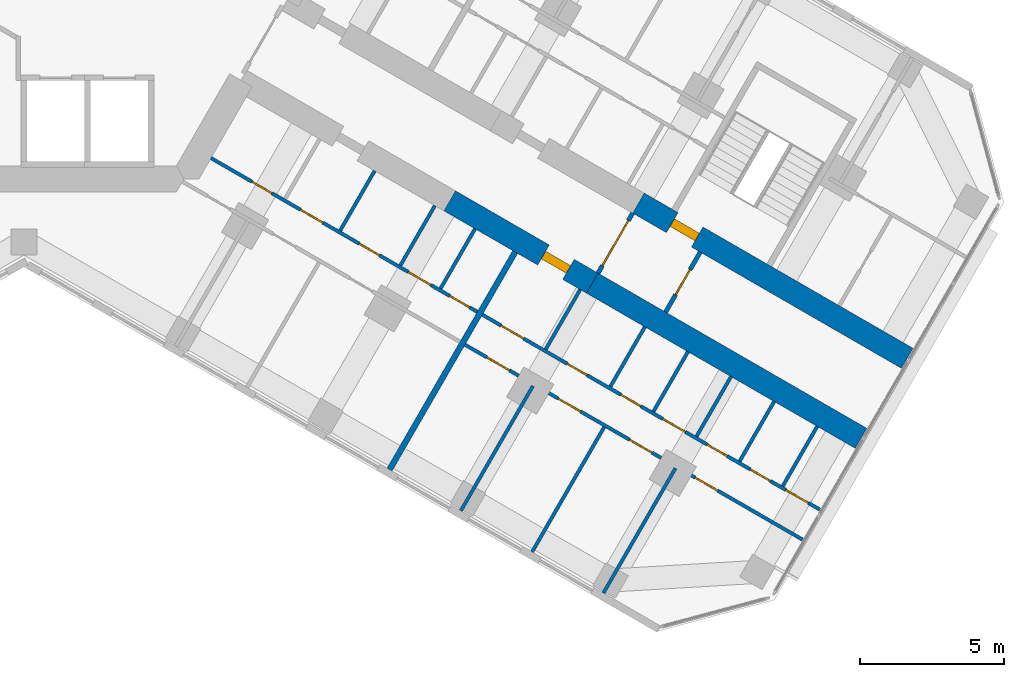
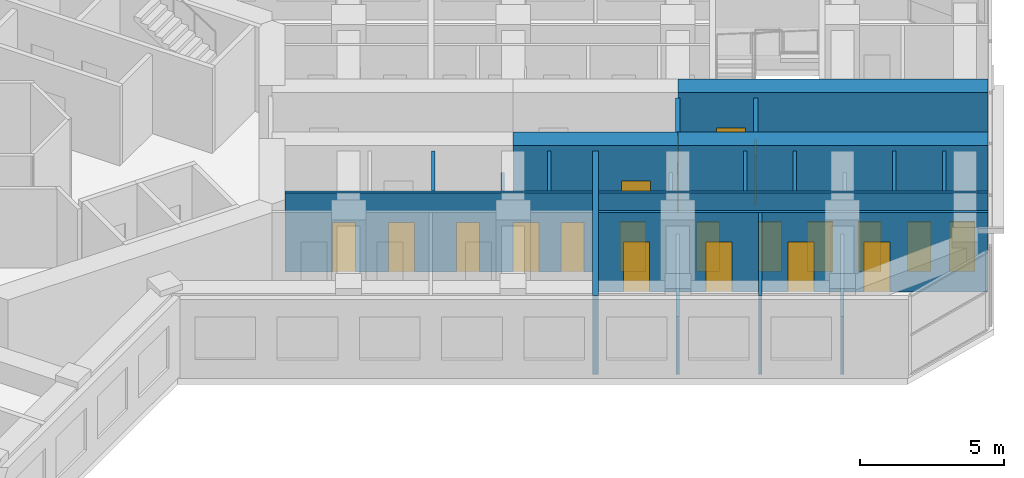
# One storey, part 14 of 20: 21 walls, 20 doors, 20 openings.
"""IFC4 building model written with IfcOpenShell, lengths in metres."""

from ifc_helpers import new_model, si_unit, direction, frame, frame_2d, origin, place, context, subcontext, project, spatial, rectangle, extrude, material, layer, layer_set, type_object, element, fill, save


model = new_model("IFC4")

# Units and contexts
model_context = context("Model", 3, precision=1e-05, world=origin(), true_north=direction((0.0, 1.0)))
body_context = subcontext(model_context, "Body", "Model", "MODEL_VIEW")
ifc_project = project(units=[si_unit("LENGTHUNIT", "METRE"), si_unit("AREAUNIT", "SQUARE_METRE"), si_unit("VOLUMEUNIT", "CUBIC_METRE"), si_unit("PLANEANGLEUNIT", "RADIAN"), si_unit("MASSUNIT", "GRAM", prefix="KILO")], contexts=[model_context])

# Site, building, storey
site_placement = place(None, origin())
site = spatial("IfcSite", under=ifc_project, at=site_placement, CompositionType="ELEMENT")
building_placement = place(site_placement, origin())
building = spatial("IfcBuilding", under=site, at=building_placement, Name="Kosmar Iwan School Tower", CompositionType="ELEMENT")
storey_placement = place(building_placement, frame((0.0, 0.0, 179.60009765625)))
storey = spatial("IfcBuildingStorey", under=building, at=storey_placement, Name="L45", CompositionType="ELEMENT", Elevation=179.60009765625)

# Wall, opening, door
ifc_material_1 = material(Name="Concrete C50/60", Category="concrete")
ifc_layer_1 = layer(ifc_material_1, 0.800048828125)
ifc_layer_set_1 = layer_set([ifc_layer_1], Name="Corridor buttress wall 800")
wall_type_1 = type_object("IfcWallType", Name="Corridor buttress wall 800", PredefinedType="SHEAR", material=ifc_layer_set_1)
wall_1_placement = place(storey_placement, frame((21.281494140625, -10.439453125, 0.0), z_axis=(0.0, 0.0, 1.0), x_axis=(0.866032345022, -0.499987977232, 0.0)))
wall_1 = element("IfcWall", 1, at=wall_1_placement, inside=storey, type_object=wall_type_1, Name="Corridor wall CL bay 3", PredefinedType="SHEAR", context=body_context, shape_type="SweptSolid", body=[
    extrude(rectangle(XDim=10.744873046875, YDim=0.800048828125, at=frame_2d((5.37255859375, 0.0))), origin(), (0.0, 0.0, 1.0), 3.599853515625),
])
opening_1_placement = place(wall_1_placement, frame((1.35009765625, 0.0, 0.0)))
opening_1 = element("IfcOpeningElement", 2, at=opening_1_placement, cuts=wall_1, Name="Opening D6", PredefinedType="OPENING", context=body_context, shape_type="SweptSolid", body=[
    extrude(rectangle(XDim=1.0, YDim=2.10009765625, at=frame_2d((0.5, 1.050048828125))), frame((0.0, 0.412109375, 0.0), z_axis=(0.0, -1.0, 0.0), x_axis=(1.0, 0.0, 0.0)), (0.0, 0.0, 1.0), 0.823974609375),
])
ifc_material_2 = material(Name="Steel fire door", Category="steel")
door_type_1 = type_object("IfcDoorType", Name="Stair door 1000x2100", OperationType="SINGLE_SWING_LEFT", PredefinedType="DOOR", material=ifc_material_2)
door_1_placement = place(opening_1_placement, origin())
door_1 = element("IfcDoor", 3, at=door_1_placement, inside=storey, type_object=door_type_1, Name="Stair WS3 door L45", OperationType="SINGLE_SWING_LEFT", OverallHeight=2.10009765625, OverallWidth=1.0, PredefinedType="DOOR", context=body_context, shape_type="SweptSolid", body=[
    extrude(rectangle(XDim=1.0, YDim=2.10009765625, at=frame_2d((0.5, 1.050048828125))), frame((0.0, 0.14990234375, 0.0), z_axis=(0.0, -1.0, 0.0), x_axis=(1.0, 0.0, 0.0)), (0.0, 0.0, 1.0), 0.300048828125),
])
fill(opening_1, door_1)

wall_2_placement = place(storey_placement, frame((14.7451171875, -10.360595703125, 0.0), z_axis=(0.0, 0.0, 1.0), x_axis=(0.866015111908, -0.50001782563, 0.0)))
wall_2 = element("IfcWall", 4, at=wall_2_placement, inside=storey, type_object=wall_type_1, Name="Corridor wall CR bay 2", PredefinedType="SHEAR", context=body_context, shape_type="SweptSolid", body=[
    extrude(rectangle(XDim=5.699951171875, YDim=0.800048828125, at=frame_2d((2.85009765625, 0.0))), origin(), (0.0, 0.0, 1.0), 3.599853515625),
])
opening_2_placement = place(wall_2_placement, frame((3.75, 0.0, 0.0)))
opening_2 = element("IfcOpeningElement", 5, at=opening_2_placement, cuts=wall_2, Name="Opening D1", PredefinedType="OPENING", context=body_context, shape_type="SweptSolid", body=[
    extrude(rectangle(XDim=1.0, YDim=2.10009765625, at=frame_2d((0.5, 1.050048828125))), frame((0.0, 0.412109375, 0.0), z_axis=(0.0, -1.0, 0.0), x_axis=(1.0, 0.0, 0.0)), (0.0, 0.0, 1.0), 0.823974609375),
])
ifc_material_3 = material(Name="Timber fire door in steel frame", Category="steel")
door_type_2 = type_object("IfcDoorType", Name="Flat entrance door 1000x2100", OperationType="SINGLE_SWING_LEFT", PredefinedType="DOOR", material=ifc_material_3)
door_2_placement = place(opening_2_placement, origin())
door_2 = element("IfcDoor", 6, at=door_2_placement, inside=storey, type_object=door_type_2, Name="Flat L45-CR2 entrance door", OperationType="SINGLE_SWING_RIGHT", OverallHeight=2.10009765625, OverallWidth=1.0, PredefinedType="DOOR", context=body_context, shape_type="SweptSolid", body=[
    extrude(rectangle(XDim=1.0, YDim=2.10009765625, at=frame_2d((0.5, 1.050048828125))), frame((0.0, 0.14990234375, 0.0), z_axis=(0.0, -1.0, 0.0), x_axis=(1.0, 0.0, 0.0)), (0.0, 0.0, 1.0), 0.300048828125),
])
fill(opening_2, door_2)

# Wall
wall_3_placement = place(storey_placement, frame((19.681396484375, -13.210693359375, 0.0), z_axis=(0.0, 0.0, 1.0), x_axis=(0.866028186671, -0.499995179869, 0.0)))
element("IfcWall", 7, at=wall_3_placement, inside=storey, type_object=wall_type_1, Name="Corridor wall CR bay 3", PredefinedType="SHEAR", context=body_context, shape_type="SweptSolid", body=[
    extrude(rectangle(XDim=10.7451171875, YDim=0.800048828125, at=frame_2d((5.37255859375, 0.0))), origin(), (0.0, 0.0, 1.0), 3.599853515625),
])

# Wall, opening, door
ifc_material_4 = material(Name="Gypsum board on steel studs, fire-rated", Category="steel")
ifc_layer_2 = layer(ifc_material_4, 0.14990234375)
ifc_layer_set_2 = layer_set([ifc_layer_2], Name="Corridor end wall 150")
wall_type_2 = type_object("IfcWallType", Name="Corridor end wall 150", PredefinedType="PARTITIONING", material=ifc_layer_set_2)
wall_4_placement = place(storey_placement, frame((22.2197265625, -14.21435546875, 0.0), z_axis=(0.0, 0.0, 1.0), x_axis=(0.499957262057, 0.866050077142, 0.0)))
wall_4 = element("IfcWall", 8, at=wall_4_placement, inside=storey, type_object=wall_type_2, Name="Partition L45-C-CE", PredefinedType="PARTITIONING", context=body_context, shape_type="SweptSolid", body=[
    extrude(rectangle(XDim=2.400146484375, YDim=0.14990234375, at=frame_2d((1.2001953125, 0.0))), origin(), (0.0, 0.0, 1.0), 3.349853515625),
])
opening_3_placement = place(wall_4_placement, frame((0.699951171875, 0.0, 0.0)))
opening_3 = element("IfcOpeningElement", 9, at=opening_3_placement, cuts=wall_4, Name="Opening D13", PredefinedType="OPENING", context=body_context, shape_type="SweptSolid", body=[
    extrude(rectangle(XDim=1.0, YDim=2.10009765625, at=frame_2d((0.5, 1.050048828125))), frame((0.0, 0.0869140625, 0.0), z_axis=(0.0, -1.0, 0.0), x_axis=(1.0, 0.0, 0.0)), (0.0, 0.0, 1.0), 0.173828125),
])
ifc_material_5 = material(Name="Timber fire door with vision panel", Category="wood")
door_type_3 = type_object("IfcDoorType", Name="Corridor end door 1000x2100", OperationType="SINGLE_SWING_LEFT", PredefinedType="DOOR", material=ifc_material_5)
door_3_placement = place(opening_3_placement, origin())
door_3 = element("IfcDoor", 10, at=door_3_placement, inside=storey, type_object=door_type_3, Name="Family study room door L45-C", OperationType="SINGLE_SWING_LEFT", OverallHeight=2.10009765625, OverallWidth=1.0, PredefinedType="DOOR", context=body_context, shape_type="SweptSolid", body=[
    extrude(rectangle(XDim=1.0, YDim=2.10009765625, at=frame_2d((0.5, 1.050048828125))), frame((0.0, 0.02490234375, 0.0), z_axis=(0.0, -1.0, 0.0), x_axis=(1.0, 0.0, 0.0)), (0.0, 0.0, 1.0), 0.050048828125),
])
fill(opening_3, door_3)

wall_5_placement = place(storey_placement, frame((19.881591796875, -12.8642578125, 0.0), z_axis=(0.0, 0.0, 1.0), x_axis=(0.499957262057, 0.866050077142, 0.0)))
wall_5 = element("IfcWall", 11, at=wall_5_placement, inside=storey, type_object=wall_type_2, Name="Partition L45-C-HW", PredefinedType="PARTITIONING", context=body_context, shape_type="SweptSolid", body=[
    extrude(rectangle(XDim=2.400146484375, YDim=0.14990234375, at=frame_2d((1.2001953125, 0.0))), origin(), (0.0, 0.0, 1.0), 3.349853515625),
])
opening_4_placement = place(wall_5_placement, frame((0.300048828125, 0.0, 0.0)))
opening_4 = element("IfcOpeningElement", 12, at=opening_4_placement, cuts=wall_5, Name="Opening D9", PredefinedType="OPENING", context=body_context, shape_type="SweptSolid", body=[
    extrude(rectangle(XDim=1.800048828125, YDim=2.10009765625, at=frame_2d((0.89990234375, 1.050048828125))), frame((0.0, 0.0869140625, 0.0), z_axis=(0.0, -1.0, 0.0), x_axis=(1.0, 0.0, 0.0)), (0.0, 0.0, 1.0), 0.173828125),
])
ifc_material_6 = material(Name="Steel framed glazed smoke door", Category="steel")
door_type_4 = type_object("IfcDoorType", Name="Corridor smoke door pair 1800x2100", OperationType="DOUBLE_DOOR_DOUBLE_SWING", PredefinedType="DOOR", material=ifc_material_6)
door_4_placement = place(opening_4_placement, origin())
door_4 = element("IfcDoor", 13, at=door_4_placement, inside=storey, type_object=door_type_4, Name="Hashti vestibule smoke doors L45-C", OperationType="DOUBLE_DOOR_DOUBLE_SWING", OverallHeight=2.10009765625, OverallWidth=1.800048828125, PredefinedType="DOOR", context=body_context, shape_type="SweptSolid", body=[
    extrude(rectangle(XDim=1.800048828125, YDim=2.10009765625, at=frame_2d((0.89990234375, 1.050048828125))), frame((0.0, 0.02490234375, 0.0), z_axis=(0.0, -1.0, 0.0), x_axis=(1.0, 0.0, 0.0)), (0.0, 0.0, 1.0), 0.050048828125),
])
fill(opening_4, door_4)

# Wall, openings, doors
ifc_material_7 = material(Name="Gypsum board on steel studs", Category="steel")
ifc_layer_3 = layer(ifc_material_7, 0.1201171875)
ifc_layer_set_3 = layer_set([ifc_layer_3], Name="Dwelling partition 120")
wall_type_3 = type_object("IfcWallType", Name="Dwelling partition 120", PredefinedType="PARTITIONING", material=ifc_layer_set_3)
wall_6_placement = place(storey_placement, frame((6.478515625, -8.87890625, 0.0), z_axis=(0.0, 0.0, 1.0), x_axis=(0.866026778288, -0.499997619282, 0.0)))
wall_6 = element("IfcWall", 14, at=wall_6_placement, inside=storey, type_object=wall_type_3, Name="Partition L45-CR1-W1", PredefinedType="PARTITIONING", context=body_context, shape_type="SweptSolid", body=[
    extrude(rectangle(XDim=10.64990234375, YDim=0.1201171875, at=frame_2d((5.324951171875, 0.0))), origin(), (0.0, 0.0, 1.0), 3.349853515625),
])
opening_5_placement = place(wall_6_placement, frame((1.639892578125, 0.0, 0.0)))
opening_5 = element("IfcOpeningElement", 15, at=opening_5_placement, cuts=wall_6, Name="Opening D3", PredefinedType="OPENING", context=body_context, shape_type="SweptSolid", body=[
    extrude(rectangle(XDim=0.800048828125, YDim=2.10009765625, at=frame_2d((0.39990234375, 1.050048828125))), frame((0.0, 0.072021484375, 0.0), z_axis=(0.0, -1.0, 0.0), x_axis=(1.0, 0.0, 0.0)), (0.0, 0.0, 1.0), 0.14404296875),
])
opening_6_placement = place(wall_6_placement, frame((3.580078125, 0.0, 0.0)))
opening_6 = element("IfcOpeningElement", 16, at=opening_6_placement, cuts=wall_6, Name="Opening D2", PredefinedType="OPENING", context=body_context, shape_type="SweptSolid", body=[
    extrude(rectangle(XDim=0.89990234375, YDim=2.10009765625, at=frame_2d((0.449951171875, 1.050048828125))), frame((0.0, 0.072021484375, 0.0), z_axis=(0.0, -1.0, 0.0), x_axis=(1.0, 0.0, 0.0)), (0.0, 0.0, 1.0), 0.14404296875),
])
opening_7_placement = place(wall_6_placement, frame((5.934326171875, 0.0, 0.0)))
opening_7 = element("IfcOpeningElement", 17, at=opening_7_placement, cuts=wall_6, Name="Opening D3", PredefinedType="OPENING", context=body_context, shape_type="SweptSolid", body=[
    extrude(rectangle(XDim=0.800048828125, YDim=2.10009765625, at=frame_2d((0.39990234375, 1.050048828125))), frame((0.0, 0.072021484375, 0.0), z_axis=(0.0, -1.0, 0.0), x_axis=(1.0, 0.0, 0.0)), (0.0, 0.0, 1.0), 0.14404296875),
])
opening_8_placement = place(wall_6_placement, frame((7.891357421875, 0.0, 0.0)))
opening_8 = element("IfcOpeningElement", 18, at=opening_8_placement, cuts=wall_6, Name="Opening D2", PredefinedType="OPENING", context=body_context, shape_type="SweptSolid", body=[
    extrude(rectangle(XDim=0.89990234375, YDim=2.10009765625, at=frame_2d((0.449951171875, 1.050048828125))), frame((0.0, 0.072021484375, 0.0), z_axis=(0.0, -1.0, 0.0), x_axis=(1.0, 0.0, 0.0)), (0.0, 0.0, 1.0), 0.14404296875),
])
opening_9_placement = place(wall_6_placement, frame((9.547119140625, 0.0, 0.0)))
opening_9 = element("IfcOpeningElement", 19, at=opening_9_placement, cuts=wall_6, Name="Opening D3", PredefinedType="OPENING", context=body_context, shape_type="SweptSolid", body=[
    extrude(rectangle(XDim=0.800048828125, YDim=2.10009765625, at=frame_2d((0.39990234375, 1.050048828125))), frame((0.0, 0.072021484375, 0.0), z_axis=(0.0, -1.0, 0.0), x_axis=(1.0, 0.0, 0.0)), (0.0, 0.0, 1.0), 0.14404296875),
])
ifc_material_8 = material(Name="Timber door in timber frame", Category="wood")
door_type_5 = type_object("IfcDoorType", Name="Internal door 900x2100", OperationType="SINGLE_SWING_LEFT", PredefinedType="DOOR", material=ifc_material_8)
door_5_placement = place(opening_6_placement, origin())
door_5 = element("IfcDoor", 20, at=door_5_placement, inside=storey, type_object=door_type_5, Name="Entrance hall door L45-CR1-S2", OperationType="SINGLE_SWING_LEFT", OverallHeight=2.10009765625, OverallWidth=0.89990234375, PredefinedType="DOOR", context=body_context, shape_type="SweptSolid", body=[
    extrude(rectangle(XDim=0.89990234375, YDim=2.10009765625, at=frame_2d((0.449951171875, 1.050048828125))), frame((0.0, 0.02490234375, 0.0), z_axis=(0.0, -1.0, 0.0), x_axis=(1.0, 0.0, 0.0)), (0.0, 0.0, 1.0), 0.050048828125),
])
fill(opening_6, door_5)
door_6_placement = place(opening_8_placement, origin())
door_6 = element("IfcDoor", 21, at=door_6_placement, inside=storey, type_object=door_type_5, Name="Pantry door L45-CR1-S4", OperationType="SINGLE_SWING_LEFT", OverallHeight=2.10009765625, OverallWidth=0.89990234375, PredefinedType="DOOR", context=body_context, shape_type="SweptSolid", body=[
    extrude(rectangle(XDim=0.89990234375, YDim=2.10009765625, at=frame_2d((0.449951171875, 1.050048828125))), frame((0.0, 0.02490234375, 0.0), z_axis=(0.0, -1.0, 0.0), x_axis=(1.0, 0.0, 0.0)), (0.0, 0.0, 1.0), 0.050048828125),
])
fill(opening_8, door_6)
ifc_material_9 = material(Name="Timber door in timber frame", Category="wood")
door_type_6 = type_object("IfcDoorType", Name="Sanitary room door 800x2100", OperationType="SINGLE_SWING_LEFT", PredefinedType="DOOR", material=ifc_material_9)
door_7_placement = place(opening_5_placement, origin())
door_7 = element("IfcDoor", 22, at=door_7_placement, inside=storey, type_object=door_type_6, Name="WC door L45-CR1-S1", OperationType="SINGLE_SWING_RIGHT", OverallHeight=2.10009765625, OverallWidth=0.800048828125, PredefinedType="DOOR", context=body_context, shape_type="SweptSolid", body=[
    extrude(rectangle(XDim=0.800048828125, YDim=2.10009765625, at=frame_2d((0.39990234375, 1.050048828125))), frame((0.0, 0.02490234375, 0.0), z_axis=(0.0, -1.0, 0.0), x_axis=(1.0, 0.0, 0.0)), (0.0, 0.0, 1.0), 0.050048828125),
])
fill(opening_5, door_7)
door_8_placement = place(opening_7_placement, origin())
door_8 = element("IfcDoor", 23, at=door_8_placement, inside=storey, type_object=door_type_6, Name="Bathroom door L45-CR1-S3", OperationType="SINGLE_SWING_RIGHT", OverallHeight=2.10009765625, OverallWidth=0.800048828125, PredefinedType="DOOR", context=body_context, shape_type="SweptSolid", body=[
    extrude(rectangle(XDim=0.800048828125, YDim=2.10009765625, at=frame_2d((0.39990234375, 1.050048828125))), frame((0.0, 0.02490234375, 0.0), z_axis=(0.0, -1.0, 0.0), x_axis=(1.0, 0.0, 0.0)), (0.0, 0.0, 1.0), 0.050048828125),
])
fill(opening_7, door_8)
door_9_placement = place(opening_9_placement, origin())
door_9 = element("IfcDoor", 24, at=door_9_placement, inside=storey, type_object=door_type_6, Name="Store door L45-CR1-S5", OperationType="SINGLE_SWING_RIGHT", OverallHeight=2.10009765625, OverallWidth=0.800048828125, PredefinedType="DOOR", context=body_context, shape_type="SweptSolid", body=[
    extrude(rectangle(XDim=0.800048828125, YDim=2.10009765625, at=frame_2d((0.39990234375, 1.050048828125))), frame((0.0, 0.02490234375, 0.0), z_axis=(0.0, -1.0, 0.0), x_axis=(1.0, 0.0, 0.0)), (0.0, 0.0, 1.0), 0.050048828125),
])
fill(opening_9, door_9)

# Walls
wall_7_placement = place(storey_placement, frame((12.146240234375, -9.322021484375, 0.0), z_axis=(0.0, 0.0, 1.0), x_axis=(-0.500017192868, -0.86601547725, 0.0)))
element("IfcWall", 25, at=wall_7_placement, inside=storey, type_object=wall_type_3, Name="Partition L45-CR1-Y2", PredefinedType="PARTITIONING", context=body_context, shape_type="SweptSolid", body=[
    extrude(rectangle(XDim=2.39013671875, YDim=0.1201171875, at=frame_2d((1.195068359375, 0.0))), origin(), (0.0, 0.0, 1.0), 3.349853515625),
])
wall_8_placement = place(storey_placement, frame((14.232177734375, -10.5263671875, 0.0), z_axis=(0.0, 0.0, 1.0), x_axis=(-0.500017192868, -0.86601547725, 0.0)))
element("IfcWall", 26, at=wall_8_placement, inside=storey, type_object=wall_type_3, Name="Partition L45-CR1-Y3", PredefinedType="PARTITIONING", context=body_context, shape_type="SweptSolid", body=[
    extrude(rectangle(XDim=2.39013671875, YDim=0.1201171875, at=frame_2d((1.195068359375, 0.0))), origin(), (0.0, 0.0, 1.0), 2.449951171875),
])
wall_9_placement = place(storey_placement, frame((15.622802734375, -11.3291015625, 0.0), z_axis=(0.0, 0.0, 1.0), x_axis=(-0.500017192868, -0.86601547725, 0.0)))
element("IfcWall", 27, at=wall_9_placement, inside=storey, type_object=wall_type_3, Name="Partition L45-CR1-Y4", PredefinedType="PARTITIONING", context=body_context, shape_type="SweptSolid", body=[
    extrude(rectangle(XDim=2.39013671875, YDim=0.1201171875, at=frame_2d((1.195068359375, 0.0))), origin(), (0.0, 0.0, 1.0), 3.349853515625),
])

# Wall, openings, doors
wall_10_placement = place(storey_placement, frame((15.875, -14.3037109375, 0.0), z_axis=(0.0, 0.0, 1.0), x_axis=(0.866023503214, -0.50000329187, 0.0)))
wall_10 = element("IfcWall", 28, at=wall_10_placement, inside=storey, type_object=wall_type_3, Name="Partition L45-CR2-W1", PredefinedType="PARTITIONING", context=body_context, shape_type="SweptSolid", body=[
    extrude(rectangle(XDim=13.4951171875, YDim=0.1201171875, at=frame_2d((6.74755859375, 0.0))), origin(), (0.0, 0.0, 1.0), 3.349853515625),
])
opening_10_placement = place(wall_10_placement, frame((0.75, 0.0, 0.0)))
opening_10 = element("IfcOpeningElement", 29, at=opening_10_placement, cuts=wall_10, Name="Opening D2", PredefinedType="OPENING", context=body_context, shape_type="SweptSolid", body=[
    extrude(rectangle(XDim=0.89990234375, YDim=2.10009765625, at=frame_2d((0.449951171875, 1.050048828125))), frame((0.0, 0.072021484375, 0.0), z_axis=(0.0, -1.0, 0.0), x_axis=(1.0, 0.0, 0.0)), (0.0, 0.0, 1.0), 0.14404296875),
])
opening_11_placement = place(wall_10_placement, frame((3.392333984375, 0.0, 0.0)))
opening_11 = element("IfcOpeningElement", 30, at=opening_11_placement, cuts=wall_10, Name="Opening D3", PredefinedType="OPENING", context=body_context, shape_type="SweptSolid", body=[
    extrude(rectangle(XDim=0.800048828125, YDim=2.10009765625, at=frame_2d((0.39990234375, 1.050048828125))), frame((0.0, 0.072021484375, 0.0), z_axis=(0.0, -1.0, 0.0), x_axis=(1.0, 0.0, 0.0)), (0.0, 0.0, 1.0), 0.14404296875),
])
opening_12_placement = place(wall_10_placement, frame((5.546142578125, 0.0, 0.0)))
opening_12 = element("IfcOpeningElement", 31, at=opening_12_placement, cuts=wall_10, Name="Opening D3", PredefinedType="OPENING", context=body_context, shape_type="SweptSolid", body=[
    extrude(rectangle(XDim=0.800048828125, YDim=2.10009765625, at=frame_2d((0.39990234375, 1.050048828125))), frame((0.0, 0.072021484375, 0.0), z_axis=(0.0, -1.0, 0.0), x_axis=(1.0, 0.0, 0.0)), (0.0, 0.0, 1.0), 0.14404296875),
])
opening_13_placement = place(wall_10_placement, frame((7.21923828125, 0.0, 0.0)))
opening_13 = element("IfcOpeningElement", 32, at=opening_13_placement, cuts=wall_10, Name="Opening D2", PredefinedType="OPENING", context=body_context, shape_type="SweptSolid", body=[
    extrude(rectangle(XDim=0.89990234375, YDim=2.10009765625, at=frame_2d((0.449951171875, 1.050048828125))), frame((0.0, 0.072021484375, 0.0), z_axis=(0.0, -1.0, 0.0), x_axis=(1.0, 0.0, 0.0)), (0.0, 0.0, 1.0), 0.14404296875),
])
opening_14_placement = place(wall_10_placement, frame((8.992431640625, 0.0, 0.0)))
opening_14 = element("IfcOpeningElement", 33, at=opening_14_placement, cuts=wall_10, Name="Opening D3", PredefinedType="OPENING", context=body_context, shape_type="SweptSolid", body=[
    extrude(rectangle(XDim=0.800048828125, YDim=2.10009765625, at=frame_2d((0.39990234375, 1.050048828125))), frame((0.0, 0.072021484375, 0.0), z_axis=(0.0, -1.0, 0.0), x_axis=(1.0, 0.0, 0.0)), (0.0, 0.0, 1.0), 0.14404296875),
])
opening_15_placement = place(wall_10_placement, frame((10.71533203125, 0.0, 0.0)))
opening_15 = element("IfcOpeningElement", 34, at=opening_15_placement, cuts=wall_10, Name="Opening D3", PredefinedType="OPENING", context=body_context, shape_type="SweptSolid", body=[
    extrude(rectangle(XDim=0.800048828125, YDim=2.10009765625, at=frame_2d((0.39990234375, 1.050048828125))), frame((0.0, 0.072021484375, 0.0), z_axis=(0.0, -1.0, 0.0), x_axis=(1.0, 0.0, 0.0)), (0.0, 0.0, 1.0), 0.14404296875),
])
opening_16_placement = place(wall_10_placement, frame((12.136962890625, 0.0, 0.0)))
opening_16 = element("IfcOpeningElement", 35, at=opening_16_placement, cuts=wall_10, Name="Opening D2", PredefinedType="OPENING", context=body_context, shape_type="SweptSolid", body=[
    extrude(rectangle(XDim=0.89990234375, YDim=2.10009765625, at=frame_2d((0.449951171875, 1.050048828125))), frame((0.0, 0.072021484375, 0.0), z_axis=(0.0, -1.0, 0.0), x_axis=(1.0, 0.0, 0.0)), (0.0, 0.0, 1.0), 0.14404296875),
])
door_10_placement = place(opening_10_placement, origin())
door_10 = element("IfcDoor", 36, at=door_10_placement, inside=storey, type_object=door_type_5, Name="Entrance hall door L45-CR2-S1", OperationType="SINGLE_SWING_RIGHT", OverallHeight=2.10009765625, OverallWidth=0.89990234375, PredefinedType="DOOR", context=body_context, shape_type="SweptSolid", body=[
    extrude(rectangle(XDim=0.89990234375, YDim=2.10009765625, at=frame_2d((0.449951171875, 1.050048828125))), frame((0.0, 0.02490234375, 0.0), z_axis=(0.0, -1.0, 0.0), x_axis=(1.0, 0.0, 0.0)), (0.0, 0.0, 1.0), 0.050048828125),
])
fill(opening_10, door_10)
door_11_placement = place(opening_13_placement, origin())
door_11 = element("IfcDoor", 37, at=door_11_placement, inside=storey, type_object=door_type_5, Name="Pantry door L45-CR2-S4", OperationType="SINGLE_SWING_LEFT", OverallHeight=2.10009765625, OverallWidth=0.89990234375, PredefinedType="DOOR", context=body_context, shape_type="SweptSolid", body=[
    extrude(rectangle(XDim=0.89990234375, YDim=2.10009765625, at=frame_2d((0.449951171875, 1.050048828125))), frame((0.0, 0.02490234375, 0.0), z_axis=(0.0, -1.0, 0.0), x_axis=(1.0, 0.0, 0.0)), (0.0, 0.0, 1.0), 0.050048828125),
])
fill(opening_13, door_11)
door_12_placement = place(opening_16_placement, origin())
door_12 = element("IfcDoor", 38, at=door_12_placement, inside=storey, type_object=door_type_5, Name="Utility room door L45-CR2-S7", OperationType="SINGLE_SWING_LEFT", OverallHeight=2.10009765625, OverallWidth=0.89990234375, PredefinedType="DOOR", context=body_context, shape_type="SweptSolid", body=[
    extrude(rectangle(XDim=0.89990234375, YDim=2.10009765625, at=frame_2d((0.449951171875, 1.050048828125))), frame((0.0, 0.02490234375, 0.0), z_axis=(0.0, -1.0, 0.0), x_axis=(1.0, 0.0, 0.0)), (0.0, 0.0, 1.0), 0.050048828125),
])
fill(opening_16, door_12)
door_13_placement = place(opening_11_placement, origin())
door_13 = element("IfcDoor", 39, at=door_13_placement, inside=storey, type_object=door_type_6, Name="Bathroom door L45-CR2-S2", OperationType="SINGLE_SWING_LEFT", OverallHeight=2.10009765625, OverallWidth=0.800048828125, PredefinedType="DOOR", context=body_context, shape_type="SweptSolid", body=[
    extrude(rectangle(XDim=0.800048828125, YDim=2.10009765625, at=frame_2d((0.39990234375, 1.050048828125))), frame((0.0, 0.02490234375, 0.0), z_axis=(0.0, -1.0, 0.0), x_axis=(1.0, 0.0, 0.0)), (0.0, 0.0, 1.0), 0.050048828125),
])
fill(opening_11, door_13)
door_14_placement = place(opening_12_placement, origin())
door_14 = element("IfcDoor", 40, at=door_14_placement, inside=storey, type_object=door_type_6, Name="Shower room door L45-CR2-S3", OperationType="SINGLE_SWING_RIGHT", OverallHeight=2.10009765625, OverallWidth=0.800048828125, PredefinedType="DOOR", context=body_context, shape_type="SweptSolid", body=[
    extrude(rectangle(XDim=0.800048828125, YDim=2.10009765625, at=frame_2d((0.39990234375, 1.050048828125))), frame((0.0, 0.02490234375, 0.0), z_axis=(0.0, -1.0, 0.0), x_axis=(1.0, 0.0, 0.0)), (0.0, 0.0, 1.0), 0.050048828125),
])
fill(opening_12, door_14)
door_15_placement = place(opening_14_placement, origin())
door_15 = element("IfcDoor", 41, at=door_15_placement, inside=storey, type_object=door_type_6, Name="WC door L45-CR2-S5", OperationType="SINGLE_SWING_RIGHT", OverallHeight=2.10009765625, OverallWidth=0.800048828125, PredefinedType="DOOR", context=body_context, shape_type="SweptSolid", body=[
    extrude(rectangle(XDim=0.800048828125, YDim=2.10009765625, at=frame_2d((0.39990234375, 1.050048828125))), frame((0.0, 0.02490234375, 0.0), z_axis=(0.0, -1.0, 0.0), x_axis=(1.0, 0.0, 0.0)), (0.0, 0.0, 1.0), 0.050048828125),
])
fill(opening_14, door_15)
door_16_placement = place(opening_15_placement, origin())
door_16 = element("IfcDoor", 42, at=door_16_placement, inside=storey, type_object=door_type_6, Name="Store door L45-CR2-S6", OperationType="SINGLE_SWING_LEFT", OverallHeight=2.10009765625, OverallWidth=0.800048828125, PredefinedType="DOOR", context=body_context, shape_type="SweptSolid", body=[
    extrude(rectangle(XDim=0.800048828125, YDim=2.10009765625, at=frame_2d((0.39990234375, 1.050048828125))), frame((0.0, 0.02490234375, 0.0), z_axis=(0.0, -1.0, 0.0), x_axis=(1.0, 0.0, 0.0)), (0.0, 0.0, 1.0), 0.050048828125),
])
fill(opening_15, door_16)

wall_11_placement = place(storey_placement, frame((15.27490234375, -15.343017578125, 0.0), z_axis=(0.0, 0.0, 1.0), x_axis=(0.866023503214, -0.50000329187, 0.0)))
wall_11 = element("IfcWall", 43, at=wall_11_placement, inside=storey, type_object=wall_type_3, Name="Partition L45-CR2-W2", PredefinedType="PARTITIONING", context=body_context, shape_type="SweptSolid", body=[
    extrude(rectangle(XDim=13.4951171875, YDim=0.1201171875, at=frame_2d((6.74755859375, 0.0))), origin(), (0.0, 0.0, 1.0), 3.349853515625),
])
opening_17_placement = place(wall_11_placement, frame((0.875, 0.0, 0.0)))
opening_17 = element("IfcOpeningElement", 44, at=opening_17_placement, cuts=wall_11, Name="Opening D2", PredefinedType="OPENING", context=body_context, shape_type="SweptSolid", body=[
    extrude(rectangle(XDim=0.89990234375, YDim=2.10009765625, at=frame_2d((0.449951171875, 1.050048828125))), frame((0.0, 0.072021484375, 0.0), z_axis=(0.0, -1.0, 0.0), x_axis=(1.0, 0.0, 0.0)), (0.0, 0.0, 1.0), 0.14404296875),
])
opening_18_placement = place(wall_11_placement, frame((3.72509765625, 0.0, 0.0)))
opening_18 = element("IfcOpeningElement", 45, at=opening_18_placement, cuts=wall_11, Name="Opening D2", PredefinedType="OPENING", context=body_context, shape_type="SweptSolid", body=[
    extrude(rectangle(XDim=0.89990234375, YDim=2.10009765625, at=frame_2d((0.449951171875, 1.050048828125))), frame((0.0, 0.072021484375, 0.0), z_axis=(0.0, -1.0, 0.0), x_axis=(1.0, 0.0, 0.0)), (0.0, 0.0, 1.0), 0.14404296875),
])
opening_19_placement = place(wall_11_placement, frame((6.574951171875, 0.0, 0.0)))
opening_19 = element("IfcOpeningElement", 46, at=opening_19_placement, cuts=wall_11, Name="Opening D2", PredefinedType="OPENING", context=body_context, shape_type="SweptSolid", body=[
    extrude(rectangle(XDim=0.89990234375, YDim=2.10009765625, at=frame_2d((0.449951171875, 1.050048828125))), frame((0.0, 0.072021484375, 0.0), z_axis=(0.0, -1.0, 0.0), x_axis=(1.0, 0.0, 0.0)), (0.0, 0.0, 1.0), 0.14404296875),
])
opening_20_placement = place(wall_11_placement, frame((9.199951171875, 0.0, 0.0)))
opening_20 = element("IfcOpeningElement", 47, at=opening_20_placement, cuts=wall_11, Name="Opening D2", PredefinedType="OPENING", context=body_context, shape_type="SweptSolid", body=[
    extrude(rectangle(XDim=0.89990234375, YDim=2.10009765625, at=frame_2d((0.449951171875, 1.050048828125))), frame((0.0, 0.072021484375, 0.0), z_axis=(0.0, -1.0, 0.0), x_axis=(1.0, 0.0, 0.0)), (0.0, 0.0, 1.0), 0.14404296875),
])
door_17_placement = place(opening_17_placement, origin())
door_17 = element("IfcDoor", 48, at=door_17_placement, inside=storey, type_object=door_type_5, Name="Bedroom 2 door L45-CR2-F1", OperationType="SINGLE_SWING_LEFT", OverallHeight=2.10009765625, OverallWidth=0.89990234375, PredefinedType="DOOR", context=body_context, shape_type="SweptSolid", body=[
    extrude(rectangle(XDim=0.89990234375, YDim=2.10009765625, at=frame_2d((0.449951171875, 1.050048828125))), frame((0.0, 0.02490234375, 0.0), z_axis=(0.0, -1.0, 0.0), x_axis=(1.0, 0.0, 0.0)), (0.0, 0.0, 1.0), 0.050048828125),
])
fill(opening_17, door_17)
door_18_placement = place(opening_18_placement, origin())
door_18 = element("IfcDoor", 49, at=door_18_placement, inside=storey, type_object=door_type_5, Name="Kitchen and dining room door L45-CR2-F2", OperationType="SINGLE_SWING_LEFT", OverallHeight=2.10009765625, OverallWidth=0.89990234375, PredefinedType="DOOR", context=body_context, shape_type="SweptSolid", body=[
    extrude(rectangle(XDim=0.89990234375, YDim=2.10009765625, at=frame_2d((0.449951171875, 1.050048828125))), frame((0.0, 0.02490234375, 0.0), z_axis=(0.0, -1.0, 0.0), x_axis=(1.0, 0.0, 0.0)), (0.0, 0.0, 1.0), 0.050048828125),
])
fill(opening_18, door_18)
door_19_placement = place(opening_19_placement, origin())
door_19 = element("IfcDoor", 50, at=door_19_placement, inside=storey, type_object=door_type_5, Name="Bedroom 1 door L45-CR2-F3", OperationType="SINGLE_SWING_RIGHT", OverallHeight=2.10009765625, OverallWidth=0.89990234375, PredefinedType="DOOR", context=body_context, shape_type="SweptSolid", body=[
    extrude(rectangle(XDim=0.89990234375, YDim=2.10009765625, at=frame_2d((0.449951171875, 1.050048828125))), frame((0.0, 0.02490234375, 0.0), z_axis=(0.0, -1.0, 0.0), x_axis=(1.0, 0.0, 0.0)), (0.0, 0.0, 1.0), 0.050048828125),
])
fill(opening_19, door_19)
door_20_placement = place(opening_20_placement, origin())
door_20 = element("IfcDoor", 51, at=door_20_placement, inside=storey, type_object=door_type_5, Name="Living room door L45-CR2-F4", OperationType="SINGLE_SWING_RIGHT", OverallHeight=2.10009765625, OverallWidth=0.89990234375, PredefinedType="DOOR", context=body_context, shape_type="SweptSolid", body=[
    extrude(rectangle(XDim=0.89990234375, YDim=2.10009765625, at=frame_2d((0.449951171875, 1.050048828125))), frame((0.0, 0.02490234375, 0.0), z_axis=(0.0, -1.0, 0.0), x_axis=(1.0, 0.0, 0.0)), (0.0, 0.0, 1.0), 0.050048828125),
])
fill(opening_20, door_20)

# Walls
wall_12_placement = place(storey_placement, frame((17.62646484375, -16.77001953125, 0.0), z_axis=(0.0, 0.0, 1.0), x_axis=(-0.499975153383, -0.86603974851, 0.0)))
element("IfcWall", 52, at=wall_12_placement, inside=storey, type_object=wall_type_3, Name="Partition L45-CR2-X1", PredefinedType="PARTITIONING", context=body_context, shape_type="SweptSolid", body=[
    extrude(rectangle(XDim=4.989990234375, YDim=0.1201171875, at=frame_2d((2.4951171875, 0.0))), origin(), (0.0, 0.0, 1.0), 2.449951171875),
])
wall_13_placement = place(storey_placement, frame((20.0947265625, -18.195068359375, 0.0), z_axis=(0.0, 0.0, 1.0), x_axis=(-0.500011847778, -0.866018563358, 0.0)))
element("IfcWall", 53, at=wall_13_placement, inside=storey, type_object=wall_type_3, Name="Partition L45-CR2-X2", PredefinedType="PARTITIONING", context=body_context, shape_type="SweptSolid", body=[
    extrude(rectangle(XDim=4.990234375, YDim=0.1201171875, at=frame_2d((2.4951171875, 0.0))), origin(), (0.0, 0.0, 1.0), 3.349853515625),
])
wall_14_placement = place(storey_placement, frame((22.562744140625, -19.6201171875, 0.0), z_axis=(0.0, 0.0, 1.0), x_axis=(-0.499996339024, -0.86602751744, 0.0)))
element("IfcWall", 54, at=wall_14_placement, inside=storey, type_object=wall_type_3, Name="Partition L45-CR2-X3", PredefinedType="PARTITIONING", context=body_context, shape_type="SweptSolid", body=[
    extrude(rectangle(XDim=4.98974609375, YDim=0.1201171875, at=frame_2d((2.494873046875, 0.0))), origin(), (0.0, 0.0, 1.0), 2.449951171875),
])
wall_15_placement = place(storey_placement, frame((19.264892578125, -13.43212890625, 0.0), z_axis=(0.0, 0.0, 1.0), x_axis=(-0.499940577336, -0.866059708757, 0.0)))
element("IfcWall", 55, at=wall_15_placement, inside=storey, type_object=wall_type_3, Name="Partition L45-CR2-Y1", PredefinedType="PARTITIONING", context=body_context, shape_type="SweptSolid", body=[
    extrude(rectangle(XDim=2.389892578125, YDim=0.1201171875, at=frame_2d((1.19482421875, 0.0))), origin(), (0.0, 0.0, 1.0), 2.449951171875),
])
for number, where, z_axis, x_axis, name in (
    (56, (21.50341796875, -14.724365234375, 0.0), (0.0, 0.0, 1.0), (-0.500017192868, -0.86601547725, 0.0), "Partition L45-CR2-Y2"),
    (57, (22.99560546875, -15.5859375, 0.0), (0.0, 0.0, 1.0), (-0.500017192868, -0.86601547725, 0.0), "Partition L45-CR2-Y3"),
):
    element("IfcWall", number, at=place(storey_placement, frame(where, z_axis=z_axis, x_axis=x_axis)), inside=storey, type_object=wall_type_3, Name=name, PredefinedType="PARTITIONING", context=body_context, shape_type="SweptSolid", body=[
        extrude(rectangle(XDim=2.39013671875, YDim=0.1201171875, at=frame_2d((1.195068359375, 0.0))), origin(), (0.0, 0.0, 1.0), 3.349853515625),
    ])
wall_16_placement = place(storey_placement, frame((24.48779296875, -16.447509765625, 0.0), z_axis=(0.0, 0.0, 1.0), x_axis=(-0.500017192868, -0.86601547725, 0.0)))
element("IfcWall", 58, at=wall_16_placement, inside=storey, type_object=wall_type_3, Name="Partition L45-CR2-Y4", PredefinedType="PARTITIONING", context=body_context, shape_type="SweptSolid", body=[
    extrude(rectangle(XDim=2.39013671875, YDim=0.1201171875, at=frame_2d((1.195068359375, 0.0))), origin(), (0.0, 0.0, 1.0), 2.449951171875),
])
for number, where, z_axis, x_axis, name in (
    (59, (25.97998046875, -17.30908203125, 0.0), (0.0, 0.0, 1.0), (-0.500061428766, -0.865989934965, 0.0), "Partition L45-CR2-Y5"),
    (60, (27.47216796875, -18.17041015625, 0.0), (0.0, 0.0, 1.0), (-0.499940577336, -0.866059708757, 0.0), "Partition L45-CR2-Y6"),
):
    element("IfcWall", number, at=place(storey_placement, frame(where, z_axis=z_axis, x_axis=x_axis)), inside=storey, type_object=wall_type_3, Name=name, PredefinedType="PARTITIONING", context=body_context, shape_type="SweptSolid", body=[
        extrude(rectangle(XDim=2.389892578125, YDim=0.1201171875, at=frame_2d((1.19482421875, 0.0))), origin(), (0.0, 0.0, 1.0), 3.349853515625),
    ])
ifc_material_10 = material(Name="Concrete block masonry", Category="masonry")
ifc_layer_4 = layer(ifc_material_10, 0.199951171875)
ifc_layer_set_4 = layer_set([ifc_layer_4], Name="Party wall 200")
wall_type_4 = type_object("IfcWallType", Name="Party wall 200", PredefinedType="PARTITIONING", material=ifc_layer_set_4)
wall_17_placement = place(storey_placement, frame((17.013427734375, -12.132080078125, 0.0), z_axis=(0.0, 0.0, 1.0), x_axis=(-0.500008278454, -0.866020624164, 0.0)))
element("IfcWall", 61, at=wall_17_placement, inside=storey, type_object=wall_type_4, Name="Partition L45-CR2-PW", PredefinedType="PARTITIONING", context=body_context, shape_type="SweptSolid", body=[
    extrude(rectangle(XDim=8.699951171875, YDim=0.199951171875, at=frame_2d((4.35009765625, 0.0))), origin(), (0.0, 0.0, 1.0), 3.349853515625),
])

save(model, "model.ifc")
